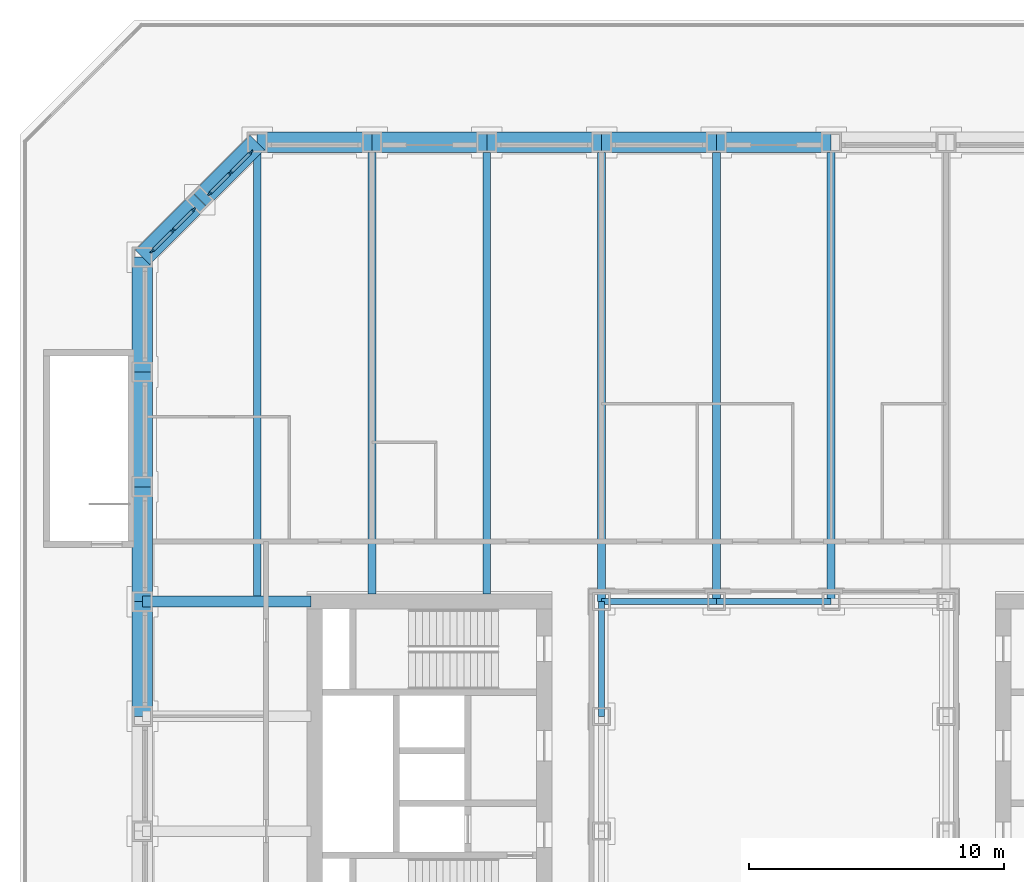
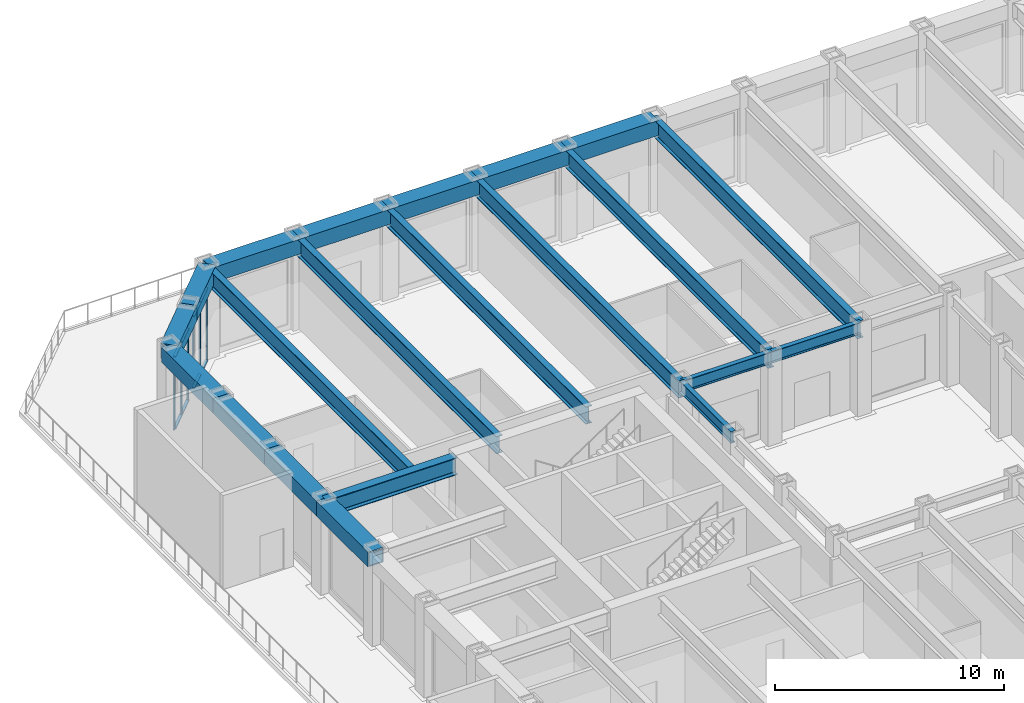
# One storey, part 4 of 18: 21 beams, 14 members, 2 elements without a shape of their own.
"""IFC4 building model written with IfcOpenShell, lengths in metres."""

from ifc_helpers import new_model, si_unit, direction, frame, origin, origin_2d, place, context, subcontext, project, spatial, rectangle, hollow_rectangle, i_section, extrude, material, material_profile, profile_set, type_object, element, aggregate, save


model = new_model("IFC4")

# Units and contexts
model_context = context("Model", 3, precision=1e-05, world=origin(), true_north=direction((0.0, 1.0)))
body_context = subcontext(model_context, "Body", "Model", "MODEL_VIEW")
ifc_project = project(units=[si_unit("LENGTHUNIT", "METRE"), si_unit("AREAUNIT", "SQUARE_METRE"), si_unit("VOLUMEUNIT", "CUBIC_METRE"), si_unit("PLANEANGLEUNIT", "RADIAN"), si_unit("MASSUNIT", "GRAM", prefix="KILO")], contexts=[model_context])

# Site, building, storey
site_placement = place(None, origin())
site = spatial("IfcSite", under=ifc_project, at=site_placement, CompositionType="ELEMENT")
building_placement = place(site_placement, origin())
building = spatial("IfcBuilding", under=site, at=building_placement, Name="Msasa Ring Tower", CompositionType="ELEMENT")
storey_placement = place(building_placement, frame((0.0, 0.0, 21.5)))
storey = spatial("IfcBuildingStorey", under=building, at=storey_placement, Name="L04", CompositionType="ELEMENT", Elevation=21.5)

# Curtain wall, members
ifc_material_1 = material(Name="Aluminium curtain wall with clear glass", Category="aluminium")
curtain_wall_type = type_object("IfcCurtainWallType", Name="CW-C CHAMFER CORNER CURTAIN WALL", PredefinedType="NOTDEFINED", material=ifc_material_1)
curtain_wall_1_placement = place(storey_placement, origin())
curtain_wall_1 = element("IfcCurtainWall", 1, at=curtain_wall_1_placement, inside=storey, type_object=curtain_wall_type, Name="Chamfer corner curtain wall NW L04", PredefinedType="NOTDEFINED")
ifc_material_2 = material(Name="Aluminium mullion", Category="aluminium")
ifc_material_profile_1 = material_profile(ifc_material_2, rectangle(XDim=0.06494140625, YDim=0.179931640625, at=origin_2d()), Name="AL 65x180")
ifc_profile_set_1 = profile_set([ifc_material_profile_1], Name="Aluminium mullion")
member_type_1 = type_object("IfcMemberType", Name="CW-C MULLION 65x180", PredefinedType="MULLION", material=ifc_profile_set_1)
member_1_placement = place(storey_placement, frame((-22.73876953125, 22.119873046875, 0.0), z_axis=(0.0, 0.0, 1.0), x_axis=(0.707106781187, -0.707106781187, 0.0)))
member_1 = element("IfcMember", 2, at=member_1_placement, type_object=member_type_1, Name="CW-C mullion 1", PredefinedType="MULLION", context=body_context, shape_type="SweptSolid", body=[
    extrude(rectangle(XDim=0.06494140625, YDim=0.179931640625, at=origin_2d()), origin(), (0.0, 0.0, 1.0), 3.87890625),
])
member_2_placement = place(storey_placement, frame((-23.55419921875, 21.30419921875, 0.0), z_axis=(0.0, 0.0, 1.0), x_axis=(0.707106781187, -0.707106781187, 0.0)))
member_2 = element("IfcMember", 3, at=member_2_placement, type_object=member_type_1, Name="CW-C mullion 2", PredefinedType="MULLION", context=body_context, shape_type="SweptSolid", body=[
    extrude(rectangle(XDim=0.06494140625, YDim=0.179931640625, at=origin_2d()), origin(), (0.0, 0.0, 1.0), 3.87890625),
])
member_3_placement = place(storey_placement, frame((-24.369873046875, 20.48876953125, 0.0), z_axis=(0.0, 0.0, 1.0), x_axis=(0.707106781187, -0.707106781187, 0.0)))
member_3 = element("IfcMember", 4, at=member_3_placement, type_object=member_type_1, Name="CW-C mullion 3", PredefinedType="MULLION", context=body_context, shape_type="SweptSolid", body=[
    extrude(rectangle(XDim=0.06494140625, YDim=0.179931640625, at=origin_2d()), origin(), (0.0, 0.0, 1.0), 3.87890625),
])

curtain_wall_2_placement = place(storey_placement, origin())
curtain_wall_2 = element("IfcCurtainWall", 5, at=curtain_wall_2_placement, inside=storey, type_object=curtain_wall_type, Name="Chamfer corner curtain wall NW L04", PredefinedType="NOTDEFINED")
member_4_placement = place(storey_placement, frame((-20.48876953125, 24.369873046875, 0.0), z_axis=(0.0, 0.0, 1.0), x_axis=(0.707106781187, -0.707106781187, 0.0)))
member_4 = element("IfcMember", 6, at=member_4_placement, type_object=member_type_1, Name="CW-C mullion 1", PredefinedType="MULLION", context=body_context, shape_type="SweptSolid", body=[
    extrude(rectangle(XDim=0.06494140625, YDim=0.179931640625, at=origin_2d()), origin(), (0.0, 0.0, 1.0), 3.87890625),
])
member_5_placement = place(storey_placement, frame((-21.30419921875, 23.55419921875, 0.0), z_axis=(0.0, 0.0, 1.0), x_axis=(0.707106781187, -0.707106781187, 0.0)))
member_5 = element("IfcMember", 7, at=member_5_placement, type_object=member_type_1, Name="CW-C mullion 2", PredefinedType="MULLION", context=body_context, shape_type="SweptSolid", body=[
    extrude(rectangle(XDim=0.06494140625, YDim=0.179931640625, at=origin_2d()), origin(), (0.0, 0.0, 1.0), 3.87890625),
])
member_6_placement = place(storey_placement, frame((-22.119873046875, 22.73876953125, 0.0), z_axis=(0.0, 0.0, 1.0), x_axis=(0.707106781187, -0.707106781187, 0.0)))
member_6 = element("IfcMember", 8, at=member_6_placement, type_object=member_type_1, Name="CW-C mullion 3", PredefinedType="MULLION", context=body_context, shape_type="SweptSolid", body=[
    extrude(rectangle(XDim=0.06494140625, YDim=0.179931640625, at=origin_2d()), origin(), (0.0, 0.0, 1.0), 3.87890625),
])

# Member
ifc_material_3 = material(Name="Aluminium transom", Category="aluminium")
ifc_material_profile_2 = material_profile(ifc_material_3, rectangle(XDim=0.139892578125, YDim=0.06494140625, at=origin_2d()), Name="AL 65x140")
ifc_profile_set_2 = profile_set([ifc_material_profile_2], Name="Aluminium transom")
member_type_2 = type_object("IfcMemberType", Name="CW-C TRANSOM 65x140", PredefinedType="USERDEFINED", material=ifc_profile_set_2)
member_7_placement = place(storey_placement, frame((-22.76171875, 22.096923828125, 0.032470703125), z_axis=(-0.707106781187, -0.707106781187, 0.0), x_axis=(0.707106781187, -0.707106781187, 0.0)))
member_7 = element("IfcMember", 9, at=member_7_placement, type_object=member_type_2, Name="CW-C transom 1.1", ObjectType="TRANSOM", PredefinedType="USERDEFINED", context=body_context, shape_type="SweptSolid", body=[
    extrude(rectangle(XDim=0.139892578125, YDim=0.06494140625, at=origin_2d()), origin(), (0.0, 0.0, 1.0), 1.08837890625),
])

member_8_placement = place(storey_placement, frame((-22.76171875, 22.096923828125, 3.846435546875), z_axis=(-0.707106781187, -0.707106781187, 0.0), x_axis=(0.707106781187, -0.707106781187, 0.0)))
member_8 = element("IfcMember", 10, at=member_8_placement, type_object=member_type_2, Name="CW-C transom 1.2", ObjectType="TRANSOM", PredefinedType="USERDEFINED", context=body_context, shape_type="SweptSolid", body=[
    extrude(rectangle(XDim=0.139892578125, YDim=0.06494140625, at=origin_2d()), origin(), (0.0, 0.0, 1.0), 1.08837890625),
])

member_9_placement = place(storey_placement, frame((-23.577392578125, 21.28125, 0.032470703125), z_axis=(-0.707106781187, -0.707106781187, 0.0), x_axis=(0.707106781187, -0.707106781187, 0.0)))
member_9 = element("IfcMember", 11, at=member_9_placement, type_object=member_type_2, Name="CW-C transom 2.1", ObjectType="TRANSOM", PredefinedType="USERDEFINED", context=body_context, shape_type="SweptSolid", body=[
    extrude(rectangle(XDim=0.139892578125, YDim=0.06494140625, at=origin_2d()), origin(), (0.0, 0.0, 1.0), 1.08837890625),
])

member_10_placement = place(storey_placement, frame((-23.577392578125, 21.28125, 3.846435546875), z_axis=(-0.707106781187, -0.707106781187, 0.0), x_axis=(0.707106781187, -0.707106781187, 0.0)))
member_10 = element("IfcMember", 12, at=member_10_placement, type_object=member_type_2, Name="CW-C transom 2.2", ObjectType="TRANSOM", PredefinedType="USERDEFINED", context=body_context, shape_type="SweptSolid", body=[
    extrude(rectangle(XDim=0.139892578125, YDim=0.06494140625, at=origin_2d()), origin(), (0.0, 0.0, 1.0), 1.08837890625),
])

aggregate(curtain_wall_1, [member_1, member_2, member_3, member_7, member_8, member_9, member_10])

member_11_placement = place(storey_placement, frame((-20.51171875, 24.346923828125, 0.032470703125), z_axis=(-0.707106781187, -0.707106781187, 0.0), x_axis=(0.707106781187, -0.707106781187, 0.0)))
member_11 = element("IfcMember", 13, at=member_11_placement, type_object=member_type_2, Name="CW-C transom 1.1", ObjectType="TRANSOM", PredefinedType="USERDEFINED", context=body_context, shape_type="SweptSolid", body=[
    extrude(rectangle(XDim=0.139892578125, YDim=0.06494140625, at=origin_2d()), origin(), (0.0, 0.0, 1.0), 1.08837890625),
])

member_12_placement = place(storey_placement, frame((-20.51171875, 24.346923828125, 3.846435546875), z_axis=(-0.707106781187, -0.707106781187, 0.0), x_axis=(0.707106781187, -0.707106781187, 0.0)))
member_12 = element("IfcMember", 14, at=member_12_placement, type_object=member_type_2, Name="CW-C transom 1.2", ObjectType="TRANSOM", PredefinedType="USERDEFINED", context=body_context, shape_type="SweptSolid", body=[
    extrude(rectangle(XDim=0.139892578125, YDim=0.06494140625, at=origin_2d()), origin(), (0.0, 0.0, 1.0), 1.08837890625),
])

member_13_placement = place(storey_placement, frame((-21.327392578125, 23.53125, 0.032470703125), z_axis=(-0.707106781187, -0.707106781187, 0.0), x_axis=(0.707106781187, -0.707106781187, 0.0)))
member_13 = element("IfcMember", 15, at=member_13_placement, type_object=member_type_2, Name="CW-C transom 2.1", ObjectType="TRANSOM", PredefinedType="USERDEFINED", context=body_context, shape_type="SweptSolid", body=[
    extrude(rectangle(XDim=0.139892578125, YDim=0.06494140625, at=origin_2d()), origin(), (0.0, 0.0, 1.0), 1.08837890625),
])

member_14_placement = place(storey_placement, frame((-21.327392578125, 23.53125, 3.846435546875), z_axis=(-0.707106781187, -0.707106781187, 0.0), x_axis=(0.707106781187, -0.707106781187, 0.0)))
member_14 = element("IfcMember", 16, at=member_14_placement, type_object=member_type_2, Name="CW-C transom 2.2", ObjectType="TRANSOM", PredefinedType="USERDEFINED", context=body_context, shape_type="SweptSolid", body=[
    extrude(rectangle(XDim=0.139892578125, YDim=0.06494140625, at=origin_2d()), origin(), (0.0, 0.0, 1.0), 1.08837890625),
])

aggregate(curtain_wall_2, [member_4, member_5, member_6, member_11, member_12, member_13, member_14])

# Beams
ifc_material_4 = material(Name="Steel S355", Category="steel")
ifc_material_profile_3 = material_profile(ifc_material_4, i_section(OverallWidth=0.3076171875, OverallDepth=0.926513671875, WebThickness=0.01953125, FlangeThickness=0.031982421875, FilletRadius=0.01904296875, at=origin_2d()), Name="UB 914x305x289")
ifc_profile_set_3 = profile_set([ifc_material_profile_3], Name="Steel S355")
beam_type_1 = type_object("IfcBeamType", Name="FB3 UB 914x305x289", PredefinedType="BEAM", material=ifc_profile_set_3)
beam_1_placement = place(storey_placement, frame((-20.25, 24.75, 4.336669921875), z_axis=(0.0, -1.0, 0.0), x_axis=(1.0, 0.0, 0.0)))
element("IfcBeam", 17, at=beam_1_placement, inside=storey, type_object=beam_type_1, Name="Floor beam N-20.25 under L05", PredefinedType="BEAM", context=body_context, shape_type="SweptSolid", body=[
    extrude(i_section(OverallWidth=0.3076171875, OverallDepth=0.926513671875, WebThickness=0.01953125, FlangeThickness=0.031982421875, FilletRadius=0.01904296875, at=origin_2d()), origin(), (0.0, 0.0, 1.0), 17.789794921875),
])
for number, where, z_axis, x_axis, name in (
    (18, (-15.75, 24.75, 4.336669921875), (0.0, -1.0, 0.0), (1.0, 0.0, 0.0), "Floor beam N-15.75 under L05"),
    (19, (-11.25, 24.75, 4.336669921875), (0.0, -1.0, 0.0), (1.0, 0.0, 0.0), "Floor beam N-11.25 under L05"),
):
    element("IfcBeam", number, at=place(storey_placement, frame(where, z_axis=z_axis, x_axis=x_axis)), inside=storey, type_object=beam_type_1, Name=name, PredefinedType="BEAM", context=body_context, shape_type="SweptSolid", body=[
        extrude(i_section(OverallWidth=0.3076171875, OverallDepth=0.926513671875, WebThickness=0.01953125, FlangeThickness=0.031982421875, FilletRadius=0.01904296875, at=origin_2d()), origin(), (0.0, 0.0, 1.0), 17.699951171875),
    ])
for number, where, z_axis, x_axis, name in (
    (20, (-6.75, 24.75, 4.336669921875), (0.0, -1.0, 0.0), (1.0, 0.0, 0.0), "Floor beam N-6.75 under L05"),
    (21, (-2.25, 24.75, 4.336669921875), (0.0, -1.0, 0.0), (1.0, 0.0, 0.0), "Floor beam N-2.25 under L05"),
    (22, (2.25, 24.75, 4.336669921875), (0.0, -1.0, 0.0), (1.0, 0.0, 0.0), "Floor beam N+2.25 under L05"),
):
    element("IfcBeam", number, at=place(storey_placement, frame(where, z_axis=z_axis, x_axis=x_axis)), inside=storey, type_object=beam_type_1, Name=name, PredefinedType="BEAM", context=body_context, shape_type="SweptSolid", body=[
        extrude(i_section(OverallWidth=0.3076171875, OverallDepth=0.926513671875, WebThickness=0.01953125, FlangeThickness=0.031982421875, FilletRadius=0.01904296875, at=origin_2d()), origin(), (0.0, 0.0, 1.0), 18.0),
    ])
ifc_material_5 = material(Name="Steel S355", Category="steel")
ifc_material_profile_4 = material_profile(ifc_material_5, i_section(OverallWidth=0.42041015625, OverallDepth=0.9208984375, WebThickness=0.021484375, FlangeThickness=0.03662109375, FilletRadius=0.024169921875, at=origin_2d()), Name="UB 914x419x388")
ifc_profile_set_4 = profile_set([ifc_material_profile_4], Name="Steel S355")
beam_type_2 = type_object("IfcBeamType", Name="GB1 UB 914x419x388", PredefinedType="BEAM", material=ifc_profile_set_4)
beam_2_placement = place(storey_placement, frame((-18.14990234375, 6.75, 4.339599609375), z_axis=(-1.0, 0.0, 0.0), x_axis=(0.0, -1.0, 0.0)))
element("IfcBeam", 23, at=beam_2_placement, inside=storey, type_object=beam_type_2, Name="Girder W +6.75 under L05", PredefinedType="BEAM", context=body_context, shape_type="SweptSolid", body=[
    extrude(i_section(OverallWidth=0.42041015625, OverallDepth=0.9208984375, WebThickness=0.021484375, FlangeThickness=0.03662109375, FilletRadius=0.024169921875, at=origin_2d()), origin(), (0.0, 0.0, 1.0), 6.60009765625),
])
ifc_material_6 = material(Name="Steel S355", Category="steel")
ifc_material_profile_5 = material_profile(ifc_material_6, i_section(OverallWidth=0.230224609375, OverallDepth=0.6171875, WebThickness=0.01318359375, FlangeThickness=0.022216796875, FilletRadius=0.0126953125, at=origin_2d()), Name="UB 610x229x140")
ifc_profile_set_5 = profile_set([ifc_material_profile_5], Name="Steel S355")
beam_type_3 = type_object("IfcBeamType", Name="RB1 UB 610x229x140", PredefinedType="BEAM", material=ifc_profile_set_5)
for number, where, z_axis, x_axis, name in (
    (24, (2.25, 6.75, 4.491455078125), (-1.0, 0.0, 0.0), (0.0, -1.0, 0.0), "Inner ring beam IR+2.25+6.75 under L05"),
    (25, (-2.25, 6.75, 4.491455078125), (-1.0, 0.0, 0.0), (0.0, -1.0, 0.0), "Inner ring beam IR-2.25+6.75 under L05"),
    (26, (-6.75, 6.75, 4.491455078125), (0.0, -1.0, 0.0), (1.0, 0.0, 0.0), "Inner ring beam IR-6.75+6.75 under L05"),
):
    element("IfcBeam", number, at=place(storey_placement, frame(where, z_axis=z_axis, x_axis=x_axis)), inside=storey, type_object=beam_type_3, Name=name, PredefinedType="BEAM", context=body_context, shape_type="SweptSolid", body=[
        extrude(i_section(OverallWidth=0.230224609375, OverallDepth=0.6171875, WebThickness=0.01318359375, FlangeThickness=0.022216796875, FilletRadius=0.0126953125, at=origin_2d()), origin(), (0.0, 0.0, 1.0), 4.5),
    ])
ifc_material_7 = material(Name="Steel S355", Category="steel")
ifc_material_profile_6 = material_profile(ifc_material_7, hollow_rectangle(XDim=0.800048828125, YDim=0.800048828125, WallThickness=0.06005859375, at=origin_2d()), Name="BOX 800x800x60")
ifc_profile_set_6 = profile_set([ifc_material_profile_6], Name="Steel S355")
beam_type_4 = type_object("IfcBeamType", Name="SB3 BOX 800x800x60", PredefinedType="SPANDREL", material=ifc_profile_set_6)
for number, where, z_axis, x_axis, name in (
    (27, (2.25, 24.75, 4.39990234375), (-1.0, 0.0, 0.0), (0.0, -1.0, 0.0), "Spandrel N+2.25 to N-2.25 under L05"),
    (28, (-2.25, 24.75, 4.39990234375), (-1.0, 0.0, 0.0), (0.0, -1.0, 0.0), "Spandrel N-2.25 to N-6.75 under L05"),
    (29, (-6.75, 24.75, 4.39990234375), (-1.0, 0.0, 0.0), (0.0, -1.0, 0.0), "Spandrel N-6.75 to N-11.25 under L05"),
    (30, (-11.25, 24.75, 4.39990234375), (-1.0, 0.0, 0.0), (0.0, -1.0, 0.0), "Spandrel N-11.25 to N-15.75 under L05"),
    (31, (-15.75, 24.75, 4.39990234375), (-1.0, 0.0, 0.0), (0.0, -1.0, 0.0), "Spandrel N-15.75 to N-20.25 under L05"),
):
    element("IfcBeam", number, at=place(storey_placement, frame(where, z_axis=z_axis, x_axis=x_axis)), inside=storey, type_object=beam_type_4, Name=name, PredefinedType="SPANDREL", context=body_context, shape_type="SweptSolid", body=[
        extrude(hollow_rectangle(XDim=0.800048828125, YDim=0.800048828125, WallThickness=0.06005859375, at=origin_2d()), origin(), (0.0, 0.0, 1.0), 4.5),
    ])
for number, where, z_axis, x_axis, name in (
    (32, (-20.25, 24.75, 4.39990234375), (-0.707106781187, -0.707106781187, 0.0), (0.707106781187, -0.707106781187, 0.0), "Spandrel N-20.25 to NW under L05"),
    (33, (-22.5, 22.5, 4.39990234375), (-0.707106781187, -0.707106781187, 0.0), (0.707106781187, -0.707106781187, 0.0), "Spandrel NW to W+20.25 under L05"),
):
    element("IfcBeam", number, at=place(storey_placement, frame(where, z_axis=z_axis, x_axis=x_axis)), inside=storey, type_object=beam_type_4, Name=name, PredefinedType="SPANDREL", context=body_context, shape_type="SweptSolid", body=[
        extrude(hollow_rectangle(XDim=0.800048828125, YDim=0.800048828125, WallThickness=0.06005859375, at=origin_2d()), origin(), (0.0, 0.0, 1.0), 3.181884765625),
    ])
for number, where, z_axis, x_axis, name in (
    (34, (-24.75, 20.25, 4.39990234375), (0.0, -1.0, 0.0), (1.0, 0.0, 0.0), "Spandrel W+20.25 to W+15.75 under L05"),
    (35, (-24.75, 15.75, 4.39990234375), (0.0, -1.0, 0.0), (1.0, 0.0, 0.0), "Spandrel W+15.75 to W+11.25 under L05"),
    (36, (-24.75, 11.25, 4.39990234375), (0.0, -1.0, 0.0), (1.0, 0.0, 0.0), "Spandrel W+11.25 to W+6.75 under L05"),
    (37, (-24.75, 6.75, 4.39990234375), (0.0, -1.0, 0.0), (1.0, 0.0, 0.0), "Spandrel W+6.75 to W+2.25 under L05"),
):
    element("IfcBeam", number, at=place(storey_placement, frame(where, z_axis=z_axis, x_axis=x_axis)), inside=storey, type_object=beam_type_4, Name=name, PredefinedType="SPANDREL", context=body_context, shape_type="SweptSolid", body=[
        extrude(hollow_rectangle(XDim=0.800048828125, YDim=0.800048828125, WallThickness=0.06005859375, at=origin_2d()), origin(), (0.0, 0.0, 1.0), 4.5),
    ])

save(model, "model.ifc")
